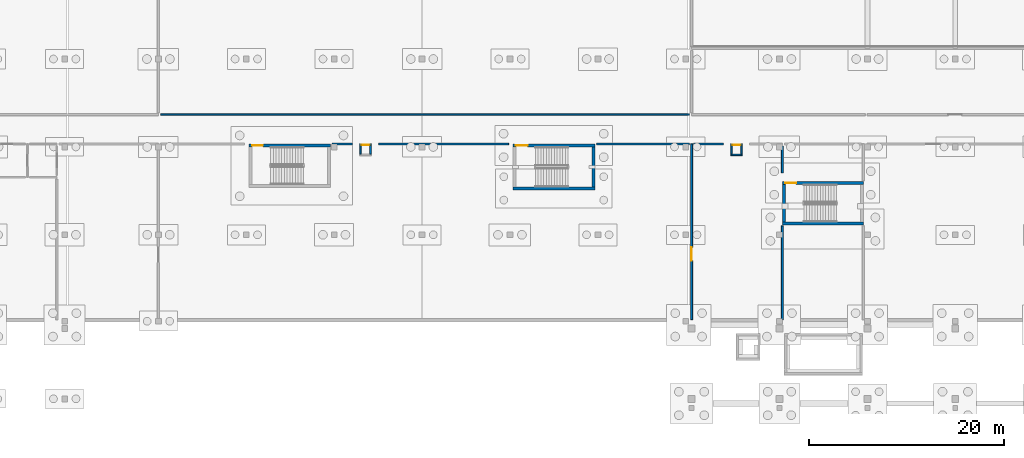
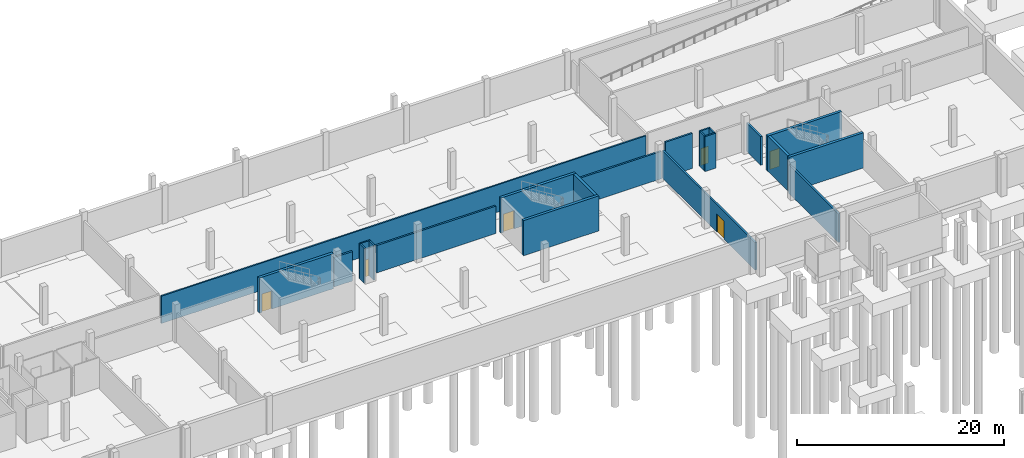
# One storey, part 22 of 36: 22 walls, 6 doors, 6 openings.
"""IFC4 building model written with IfcOpenShell, lengths in metres."""

from ifc_helpers import new_model, si_unit, direction, frame, frame_2d, origin, place, context, subcontext, project, spatial, rectangle, extrude, material, layer, layer_set, type_object, element, fill, save


model = new_model("IFC4")

# Units and contexts
model_context = context("Model", 3, precision=1e-05, world=origin(), true_north=direction((0.0, 1.0)))
body_context = subcontext(model_context, "Body", "Model", "MODEL_VIEW")
ifc_project = project(units=[si_unit("LENGTHUNIT", "METRE"), si_unit("AREAUNIT", "SQUARE_METRE"), si_unit("VOLUMEUNIT", "CUBIC_METRE"), si_unit("PLANEANGLEUNIT", "RADIAN"), si_unit("MASSUNIT", "GRAM", prefix="KILO")], contexts=[model_context])

# Site, building, storey
site_placement = place(None, origin())
site = spatial("IfcSite", under=ifc_project, at=site_placement, CompositionType="ELEMENT")
building_placement = place(site_placement, origin())
building = spatial("IfcBuilding", under=site, at=building_placement, Name="Chiffa Square Polytechnic", CompositionType="ELEMENT")
storey_placement = place(building_placement, frame((0.0, 0.0, -4.5)))
storey = spatial("IfcBuildingStorey", under=building, at=storey_placement, Name="B1", CompositionType="ELEMENT", Elevation=-4.5)

# Wall
ifc_material_1 = material(Name="Concrete C40/50", Category="concrete")
ifc_layer_1 = layer(ifc_material_1, 0.300048828125, Name="Concrete C40/50")
ifc_layer_set_1 = layer_set([ifc_layer_1], Name="Concrete C40/50")
wall_type_1 = type_object("IfcWallType", Name="WL-CORE-300", PredefinedType="SHEAR", material=ifc_layer_set_1)
wall_1_placement = place(storey_placement, frame((93.89990234375, 108.550048828125, 0.0), z_axis=(0.0, 0.0, 1.0), x_axis=(1.0, 0.0, 0.0)))
element("IfcWall", 1, at=wall_1_placement, inside=storey, type_object=wall_type_1, Name="Core or enclosure wall WC-CORE-V5B-B1-SOUTH", PredefinedType="SHEAR", context=body_context, shape_type="SweptSolid", body=[
    extrude(rectangle(XDim=8.400146484375, YDim=0.300048828125, at=frame_2d((4.2001953125, 0.0))), origin(), (0.0, 0.0, 1.0), 4.14990234375),
])

# Wall, opening, door
wall_2_placement = place(storey_placement, frame((93.89990234375, 112.949951171875, 0.0), z_axis=(0.0, 0.0, 1.0), x_axis=(1.0, 0.0, 0.0)))
wall_2 = element("IfcWall", 2, at=wall_2_placement, inside=storey, type_object=wall_type_1, Name="Core or enclosure wall WC-CORE-V5B-B1-NORTH", PredefinedType="SHEAR", context=body_context, shape_type="SweptSolid", body=[
    extrude(rectangle(XDim=8.400146484375, YDim=0.300048828125, at=frame_2d((4.2001953125, 0.0))), origin(), (0.0, 0.0, 1.0), 4.14990234375),
])
opening_1_placement = place(wall_2_placement, frame((0.300048828125, 0.0, 0.0)))
opening_1 = element("IfcOpeningElement", 3, at=opening_1_placement, cuts=wall_2, Name="Opening DS-B1-037", PredefinedType="OPENING", context=body_context, shape_type="SweptSolid", body=[
    extrude(rectangle(XDim=1.199951171875, YDim=2.14990234375, at=frame_2d((0.60009765625, 1.074951171875))), frame((0.0, 0.16015625, 0.0), z_axis=(0.0, -1.0, 0.0), x_axis=(1.0, 0.0, 0.0)), (0.0, 0.0, 1.0), 0.320068359375),
])
ifc_material_2 = material(Name="Fire-rated painted steel leaf", Category="steel")
door_type_1 = type_object("IfcDoorType", Name="DR-STAIR-1200", OperationType="NOTDEFINED", PredefinedType="DOOR", material=ifc_material_2)
door_1_placement = place(opening_1_placement, origin())
door_1 = element("IfcDoor", 4, at=door_1_placement, inside=storey, type_object=door_type_1, Name="Enclosure door DS-B1-037", OperationType="SINGLE_SWING_LEFT", OverallHeight=2.14990234375, OverallWidth=1.199951171875, PredefinedType="DOOR", context=body_context, shape_type="SweptSolid", body=[
    extrude(rectangle(XDim=1.199951171875, YDim=2.14990234375, at=frame_2d((0.60009765625, 1.074951171875))), frame((0.0, 0.02490234375, 0.0), z_axis=(0.0, -1.0, 0.0), x_axis=(1.0, 0.0, 0.0)), (0.0, 0.0, 1.0), 0.050048828125),
])
fill(opening_1, door_1)

# Wall
wall_3_placement = place(storey_placement, frame((102.14990234375, 108.699951171875, 0.0), z_axis=(0.0, 0.0, 1.0), x_axis=(0.0, 1.0, 0.0)))
element("IfcWall", 5, at=wall_3_placement, inside=storey, type_object=wall_type_1, Name="Core or enclosure wall WC-CORE-V5B-B1-EAST", PredefinedType="SHEAR", context=body_context, shape_type="SweptSolid", body=[
    extrude(rectangle(XDim=4.10009765625, YDim=0.300048828125, at=frame_2d((2.050048828125, 0.0))), origin(), (0.0, 0.0, 1.0), 4.14990234375),
])

# Wall, opening, door
wall_4_placement = place(storey_placement, frame((66.89990234375, 112.949951171875, 0.0), z_axis=(0.0, 0.0, 1.0), x_axis=(1.0, 0.0, 0.0)))
wall_4 = element("IfcWall", 6, at=wall_4_placement, inside=storey, type_object=wall_type_1, Name="Core or enclosure wall WC-CORE-B1W-B1-NORTH", PredefinedType="SHEAR", context=body_context, shape_type="SweptSolid", body=[
    extrude(rectangle(XDim=8.300048828125, YDim=0.300048828125, at=frame_2d((4.14990234375, 0.0))), origin(), (0.0, 0.0, 1.0), 4.14990234375),
])
opening_2_placement = place(wall_4_placement, frame((0.300048828125, 0.0, 0.0)))
opening_2 = element("IfcOpeningElement", 7, at=opening_2_placement, cuts=wall_4, Name="Opening DS-B1-043", PredefinedType="OPENING", context=body_context, shape_type="SweptSolid", body=[
    extrude(rectangle(XDim=1.10009765625, YDim=2.14990234375, at=frame_2d((0.550048828125, 1.074951171875))), frame((0.0, 0.16015625, 0.0), z_axis=(0.0, -1.0, 0.0), x_axis=(1.0, 0.0, 0.0)), (0.0, 0.0, 1.0), 0.320068359375),
])
door_type_2 = type_object("IfcDoorType", Name="DR-STAIR-1100", OperationType="NOTDEFINED", PredefinedType="DOOR", material=ifc_material_2)
door_2_placement = place(opening_2_placement, origin())
door_2 = element("IfcDoor", 8, at=door_2_placement, inside=storey, type_object=door_type_2, Name="Enclosure door DS-B1-043", OperationType="SINGLE_SWING_LEFT", OverallHeight=2.14990234375, OverallWidth=1.10009765625, PredefinedType="DOOR", context=body_context, shape_type="SweptSolid", body=[
    extrude(rectangle(XDim=1.10009765625, YDim=2.14990234375, at=frame_2d((0.550048828125, 1.074951171875))), frame((0.0, 0.02490234375, 0.0), z_axis=(0.0, -1.0, 0.0), x_axis=(1.0, 0.0, 0.0)), (0.0, 0.0, 1.0), 0.050048828125),
])
fill(opening_2, door_2)

# Wall
wall_5_placement = place(storey_placement, frame((121.5, 104.949951171875, 0.0), z_axis=(0.0, 0.0, 1.0), x_axis=(1.0, 0.0, 0.0)))
element("IfcWall", 9, at=wall_5_placement, inside=storey, type_object=wall_type_1, Name="Core or enclosure wall WC-CORE-B1E-B1-SOUTH", PredefinedType="SHEAR", context=body_context, shape_type="SweptSolid", body=[
    extrude(rectangle(XDim=8.300048828125, YDim=0.300048828125, at=frame_2d((4.14990234375, 0.0))), origin(), (0.0, 0.0, 1.0), 4.14990234375),
])

# Wall, opening, door
wall_6_placement = place(storey_placement, frame((121.5, 109.10009765625, 0.0), z_axis=(0.0, 0.0, 1.0), x_axis=(1.0, 0.0, 0.0)))
wall_6 = element("IfcWall", 10, at=wall_6_placement, inside=storey, type_object=wall_type_1, Name="Core or enclosure wall WC-CORE-B1E-B1-NORTH", PredefinedType="SHEAR", context=body_context, shape_type="SweptSolid", body=[
    extrude(rectangle(XDim=8.300048828125, YDim=0.300048828125, at=frame_2d((4.14990234375, 0.0))), origin(), (0.0, 0.0, 1.0), 4.14990234375),
])
opening_3_placement = place(wall_6_placement, frame((0.300048828125, 0.0, 0.0)))
opening_3 = element("IfcOpeningElement", 11, at=opening_3_placement, cuts=wall_6, Name="Opening DS-B1-045", PredefinedType="OPENING", context=body_context, shape_type="SweptSolid", body=[
    extrude(rectangle(XDim=1.10009765625, YDim=2.14990234375, at=frame_2d((0.550048828125, 1.074951171875))), frame((0.0, 0.16015625, 0.0), z_axis=(0.0, -1.0, 0.0), x_axis=(1.0, 0.0, 0.0)), (0.0, 0.0, 1.0), 0.320068359375),
])
door_3_placement = place(opening_3_placement, origin())
door_3 = element("IfcDoor", 12, at=door_3_placement, inside=storey, type_object=door_type_2, Name="Enclosure door DS-B1-045", OperationType="SINGLE_SWING_LEFT", OverallHeight=2.14990234375, OverallWidth=1.10009765625, PredefinedType="DOOR", context=body_context, shape_type="SweptSolid", body=[
    extrude(rectangle(XDim=1.10009765625, YDim=2.14990234375, at=frame_2d((0.550048828125, 1.074951171875))), frame((0.0, 0.02490234375, 0.0), z_axis=(0.0, -1.0, 0.0), x_axis=(1.0, 0.0, 0.0)), (0.0, 0.0, 1.0), 0.050048828125),
])
fill(opening_3, door_3)

# Wall
wall_7_placement = place(storey_placement, frame((121.64990234375, 105.10009765625, 0.0), z_axis=(0.0, 0.0, 1.0), x_axis=(0.0, 1.0, 0.0)))
element("IfcWall", 13, at=wall_7_placement, inside=storey, type_object=wall_type_1, Name="Core or enclosure wall WC-CORE-B1E-B1-WEST", PredefinedType="SHEAR", context=body_context, shape_type="SweptSolid", body=[
    extrude(rectangle(XDim=3.849853515625, YDim=0.300048828125, at=frame_2d((1.9248046875, 0.0))), origin(), (0.0, 0.0, 1.0), 4.14990234375),
])

# Wall, opening, door
ifc_material_3 = material(Name="Autoclaved aerated concrete blockwork", Category="masonry")
ifc_layer_2 = layer(ifc_material_3, 0.199951171875, Name="Autoclaved aerated concrete blockwork")
ifc_layer_set_2 = layer_set([ifc_layer_2], Name="Autoclaved aerated concrete blockwork")
wall_type_2 = type_object("IfcWallType", Name="WL-PART-EI120-200", PredefinedType="PARTITIONING", material=ifc_layer_set_2)
wall_8_placement = place(storey_placement, frame((112.199951171875, 95.10498046875, 0.0), z_axis=(0.0, 0.0, 1.0), x_axis=(0.0, 1.0, 0.0)))
wall_8 = element("IfcWall", 14, at=wall_8_placement, inside=storey, type_object=wall_type_2, Name="Interior partition WP-V5-B1-0029", PredefinedType="PARTITIONING", context=body_context, shape_type="SweptSolid", body=[
    extrude(rectangle(XDim=17.9951171875, YDim=0.199951171875, at=frame_2d((8.99755859375, 0.0))), origin(), (0.0, 0.0, 1.0), 3.235107421875),
])
opening_4_placement = place(wall_8_placement, frame((6.035888671875, 0.0, 0.0)))
opening_4 = element("IfcOpeningElement", 15, at=opening_4_placement, cuts=wall_8, Name="Opening DI-B1-057", PredefinedType="OPENING", context=body_context, shape_type="SweptSolid", body=[
    extrude(rectangle(XDim=1.39990234375, YDim=2.14990234375, at=frame_2d((0.699951171875, 1.074951171875))), frame((0.0, 0.10986328125, 0.0), z_axis=(0.0, -1.0, 0.0), x_axis=(1.0, 0.0, 0.0)), (0.0, 0.0, 1.0), 0.219970703125),
])
ifc_material_4 = material(Name="Louvred painted steel plant door", Category="steel")
door_type_3 = type_object("IfcDoorType", Name="DR-PLANT-1400", OperationType="DOUBLE_DOOR_SINGLE_SWING", PredefinedType="DOOR", material=ifc_material_4)
door_4_placement = place(opening_4_placement, origin())
door_4 = element("IfcDoor", 16, at=door_4_placement, inside=storey, type_object=door_type_3, Name="Interior room door DI-B1-057", OperationType="DOUBLE_DOOR_SINGLE_SWING", OverallHeight=2.14990234375, OverallWidth=1.39990234375, PredefinedType="DOOR", context=body_context, shape_type="SweptSolid", body=[
    extrude(rectangle(XDim=1.39990234375, YDim=2.14990234375, at=frame_2d((0.699951171875, 1.074951171875))), frame((0.0, 0.02490234375, 0.0), z_axis=(0.0, -1.0, 0.0), x_axis=(1.0, 0.0, 0.0)), (0.0, 0.0, 1.0), 0.050048828125),
])
fill(opening_4, door_4)

# Walls
wall_9_placement = place(storey_placement, frame((112.419921875, 113.10009765625, 0.0), z_axis=(0.0, 0.0, 1.0), x_axis=(1.0, 0.0, 0.0)))
element("IfcWall", 17, at=wall_9_placement, inside=storey, type_object=wall_type_2, Name="Interior partition WP-V5-B1-0030", PredefinedType="PARTITIONING", context=body_context, shape_type="SweptSolid", body=[
    extrude(rectangle(XDim=3.0341796875, YDim=0.199951171875, at=frame_2d((1.51708984375, 0.0))), origin(), (0.0, 0.0, 1.0), 4.14990234375),
])
wall_10_placement = place(storey_placement, frame((121.5, 110.14794921875, 0.0), z_axis=(0.0, 0.0, 1.0), x_axis=(0.0, 1.0, 0.0)))
element("IfcWall", 18, at=wall_10_placement, inside=storey, type_object=wall_type_2, Name="Interior partition WP-V5-B1-0032", PredefinedType="PARTITIONING", context=body_context, shape_type="SweptSolid", body=[
    extrude(rectangle(XDim=2.73193359375, YDim=0.199951171875, at=frame_2d((1.365966796875, 0.0))), origin(), (0.0, 0.0, 1.0), 3.385009765625),
])
wall_11_placement = place(storey_placement, frame((121.5, 95.10498046875, 0.0), z_axis=(0.0, 0.0, 1.0), x_axis=(0.0, 1.0, 0.0)))
element("IfcWall", 19, at=wall_11_placement, inside=storey, type_object=wall_type_2, Name="Interior partition WP-V5-B1-0033", PredefinedType="PARTITIONING", context=body_context, shape_type="SweptSolid", body=[
    extrude(rectangle(XDim=9.60498046875, YDim=0.199951171875, at=frame_2d((4.802490234375, 0.0))), origin(), (0.0, 0.0, 1.0), 3.385009765625),
])
wall_12_placement = place(storey_placement, frame((80.14599609375, 113.10009765625, 0.0), z_axis=(0.0, 0.0, 1.0), x_axis=(1.0, 0.0, 0.0)))
element("IfcWall", 20, at=wall_12_placement, inside=storey, type_object=wall_type_2, Name="Interior partition WP-V5-B1-0046", PredefinedType="PARTITIONING", context=body_context, shape_type="SweptSolid", body=[
    extrude(rectangle(XDim=13.31298828125, YDim=0.199951171875, at=frame_2d((6.656494140625, 0.0))), origin(), (0.0, 0.0, 1.0), 3.235107421875),
])
wall_13_placement = place(storey_placement, frame((75.386962890625, 113.10009765625, 0.0), z_axis=(0.0, 0.0, 1.0), x_axis=(1.0, 0.0, 0.0)))
element("IfcWall", 21, at=wall_13_placement, inside=storey, type_object=wall_type_2, Name="Interior partition WP-V5-B1-0047", PredefinedType="PARTITIONING", context=body_context, shape_type="SweptSolid", body=[
    extrude(rectangle(XDim=2.067138671875, YDim=0.199951171875, at=frame_2d((1.03369140625, 0.0))), origin(), (0.0, 0.0, 1.0), 3.485107421875),
])
wall_14_placement = place(storey_placement, frame((102.487060546875, 113.10009765625, 0.0), z_axis=(0.0, 0.0, 1.0), x_axis=(1.0, 0.0, 0.0)))
element("IfcWall", 22, at=wall_14_placement, inside=storey, type_object=wall_type_2, Name="Interior partition WP-V5-B1-0057", PredefinedType="PARTITIONING", context=body_context, shape_type="SweptSolid", body=[
    extrude(rectangle(XDim=9.492919921875, YDim=0.199951171875, at=frame_2d((4.74658203125, 0.0))), origin(), (0.0, 0.0, 1.0), 3.235107421875),
])

# Wall, opening, door
ifc_material_5 = material(Name="Gypsum board on acoustic steel stud", Category="steel")
ifc_layer_3 = layer(ifc_material_5, 0.159912109375, Name="Gypsum board on acoustic steel stud")
ifc_layer_set_3 = layer_set([ifc_layer_3], Name="Gypsum board on acoustic steel stud")
wall_type_3 = type_object("IfcWallType", Name="WL-PART-EI60-160", PredefinedType="PARTITIONING", material=ifc_layer_set_3)
wall_15_placement = place(storey_placement, frame((78.199951171875, 113.02001953125, 0.0), z_axis=(0.0, 0.0, 1.0), x_axis=(1.0, 0.0, 0.0)))
wall_15 = element("IfcWall", 23, at=wall_15_placement, inside=storey, type_object=wall_type_3, Name="Core or enclosure wall WP-RSR-V5-M-B1-NORTH", PredefinedType="PARTITIONING", context=body_context, shape_type="SweptSolid", body=[
    extrude(rectangle(XDim=1.199951171875, YDim=0.159912109375, at=frame_2d((0.60009765625, 0.0))), origin(), (0.0, 0.0, 1.0), 4.14990234375),
])
opening_5_placement = place(wall_15_placement, frame((0.175048828125, 0.0, 0.0)))
opening_5 = element("IfcOpeningElement", 24, at=opening_5_placement, cuts=wall_15, Name="Opening DI-B1-R07", PredefinedType="OPENING", context=body_context, shape_type="SweptSolid", body=[
    extrude(rectangle(XDim=0.85009765625, YDim=2.02001953125, at=frame_2d((0.425048828125, 1.010009765625))), frame((0.0, 0.08984375, 0.0), z_axis=(0.0, -1.0, 0.0), x_axis=(1.0, 0.0, 0.0)), (0.0, 0.0, 1.0), 0.179931640625),
])
ifc_material_6 = material(Name="Fire-rated steel riser access door", Category="steel")
door_type_4 = type_object("IfcDoorType", Name="DR-RISER-850", OperationType="NOTDEFINED", PredefinedType="DOOR", material=ifc_material_6)
door_5_placement = place(opening_5_placement, origin())
door_5 = element("IfcDoor", 25, at=door_5_placement, inside=storey, type_object=door_type_4, Name="Enclosure door DI-B1-R07", OperationType="SINGLE_SWING_LEFT", OverallHeight=2.02001953125, OverallWidth=0.85009765625, PredefinedType="DOOR", context=body_context, shape_type="SweptSolid", body=[
    extrude(rectangle(XDim=0.85009765625, YDim=2.02001953125, at=frame_2d((0.425048828125, 1.010009765625))), frame((0.0, 0.02490234375, 0.0), z_axis=(0.0, -1.0, 0.0), x_axis=(1.0, 0.0, 0.0)), (0.0, 0.0, 1.0), 0.050048828125),
])
fill(opening_5, door_5)

# Walls
for number, where, z_axis, x_axis, name in (
    (26, (78.280029296875, 112.06005859375, 0.0), (0.0, 0.0, 1.0), (0.0, 1.0, 0.0), "Core or enclosure wall WP-RSR-V5-M-B1-WEST"),
    (27, (79.320068359375, 112.06005859375, 0.0), (0.0, 0.0, 1.0), (0.0, 1.0, 0.0), "Core or enclosure wall WP-RSR-V5-M-B1-EAST"),
):
    element("IfcWall", number, at=place(storey_placement, frame(where, z_axis=z_axis, x_axis=x_axis)), inside=storey, type_object=wall_type_3, Name=name, PredefinedType="PARTITIONING", context=body_context, shape_type="SweptSolid", body=[
        extrude(rectangle(XDim=0.8798828125, YDim=0.159912109375, at=frame_2d((0.43994140625, 0.0))), origin(), (0.0, 0.0, 1.0), 4.14990234375),
    ])
wall_16_placement = place(storey_placement, frame((116.199951171875, 111.97998046875, 0.0), z_axis=(0.0, 0.0, 1.0), x_axis=(1.0, 0.0, 0.0)))
element("IfcWall", 28, at=wall_16_placement, inside=storey, type_object=wall_type_3, Name="Core or enclosure wall WP-RSR-V5-E-B1-SOUTH", PredefinedType="PARTITIONING", context=body_context, shape_type="SweptSolid", body=[
    extrude(rectangle(XDim=1.199951171875, YDim=0.159912109375, at=frame_2d((0.60009765625, 0.0))), origin(), (0.0, 0.0, 1.0), 4.14990234375),
])

# Wall, opening, door
wall_17_placement = place(storey_placement, frame((116.199951171875, 113.02001953125, 0.0), z_axis=(0.0, 0.0, 1.0), x_axis=(1.0, 0.0, 0.0)))
wall_17 = element("IfcWall", 29, at=wall_17_placement, inside=storey, type_object=wall_type_3, Name="Core or enclosure wall WP-RSR-V5-E-B1-NORTH", PredefinedType="PARTITIONING", context=body_context, shape_type="SweptSolid", body=[
    extrude(rectangle(XDim=1.199951171875, YDim=0.159912109375, at=frame_2d((0.60009765625, 0.0))), origin(), (0.0, 0.0, 1.0), 4.14990234375),
])
opening_6_placement = place(wall_17_placement, frame((0.175048828125, 0.0, 0.0)))
opening_6 = element("IfcOpeningElement", 30, at=opening_6_placement, cuts=wall_17, Name="Opening DI-B1-R13", PredefinedType="OPENING", context=body_context, shape_type="SweptSolid", body=[
    extrude(rectangle(XDim=0.85009765625, YDim=2.02001953125, at=frame_2d((0.425048828125, 1.010009765625))), frame((0.0, 0.08984375, 0.0), z_axis=(0.0, -1.0, 0.0), x_axis=(1.0, 0.0, 0.0)), (0.0, 0.0, 1.0), 0.179931640625),
])
door_6_placement = place(opening_6_placement, origin())
door_6 = element("IfcDoor", 31, at=door_6_placement, inside=storey, type_object=door_type_4, Name="Enclosure door DI-B1-R13", OperationType="SINGLE_SWING_LEFT", OverallHeight=2.02001953125, OverallWidth=0.85009765625, PredefinedType="DOOR", context=body_context, shape_type="SweptSolid", body=[
    extrude(rectangle(XDim=0.85009765625, YDim=2.02001953125, at=frame_2d((0.425048828125, 1.010009765625))), frame((0.0, 0.02490234375, 0.0), z_axis=(0.0, -1.0, 0.0), x_axis=(1.0, 0.0, 0.0)), (0.0, 0.0, 1.0), 0.050048828125),
])
fill(opening_6, door_6)

# Walls
for number, where, z_axis, x_axis, name in (
    (32, (116.280029296875, 112.06005859375, 0.0), (0.0, 0.0, 1.0), (0.0, 1.0, 0.0), "Core or enclosure wall WP-RSR-V5-E-B1-WEST"),
    (33, (117.320068359375, 112.06005859375, 0.0), (0.0, 0.0, 1.0), (0.0, 1.0, 0.0), "Core or enclosure wall WP-RSR-V5-E-B1-EAST"),
):
    element("IfcWall", number, at=place(storey_placement, frame(where, z_axis=z_axis, x_axis=x_axis)), inside=storey, type_object=wall_type_3, Name=name, PredefinedType="PARTITIONING", context=body_context, shape_type="SweptSolid", body=[
        extrude(rectangle(XDim=0.8798828125, YDim=0.159912109375, at=frame_2d((0.43994140625, 0.0))), origin(), (0.0, 0.0, 1.0), 4.14990234375),
    ])
wall_18_placement = place(storey_placement, frame((57.820068359375, 116.10009765625, 0.0), z_axis=(0.0, 0.0, 1.0), x_axis=(1.0, 0.0, 0.0)))
element("IfcWall", 34, at=wall_18_placement, inside=storey, type_object=wall_type_3, Name="Interior partition WP-V5-B1-0065", PredefinedType="PARTITIONING", context=body_context, shape_type="SweptSolid", body=[
    extrude(rectangle(XDim=54.159912109375, YDim=0.159912109375, at=frame_2d((27.080078125, 0.0))), origin(), (0.0, 0.0, 1.0), 3.235107421875),
])

save(model, "model.ifc")
